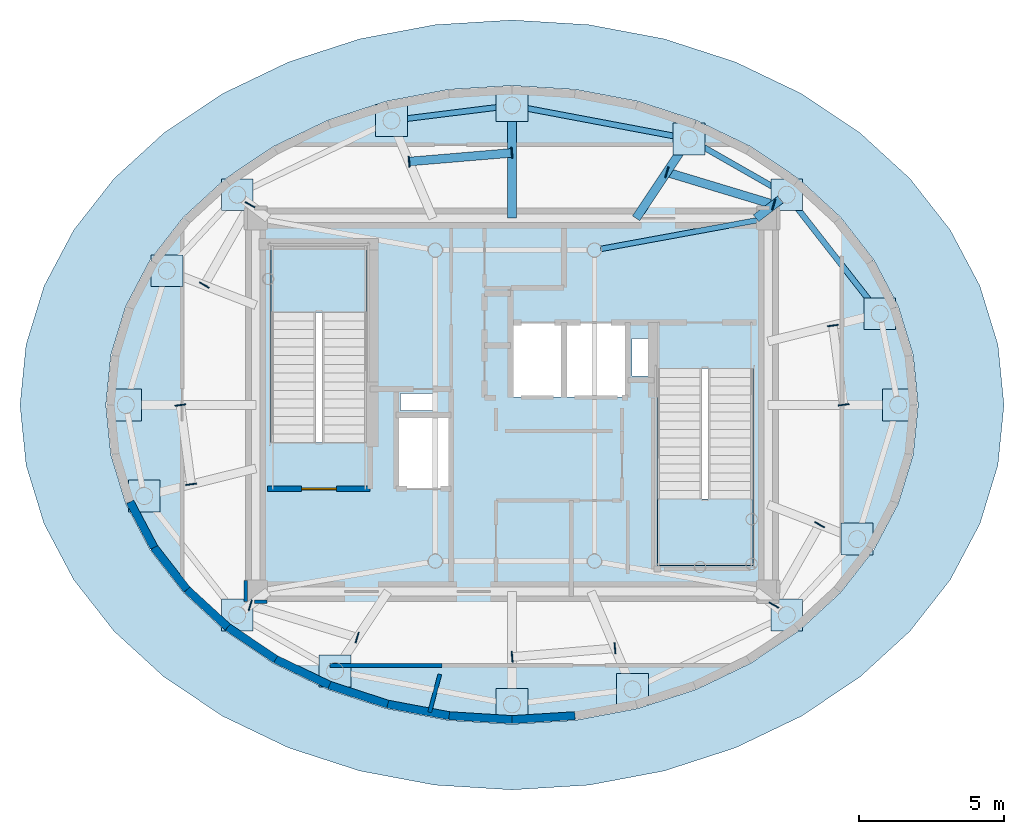
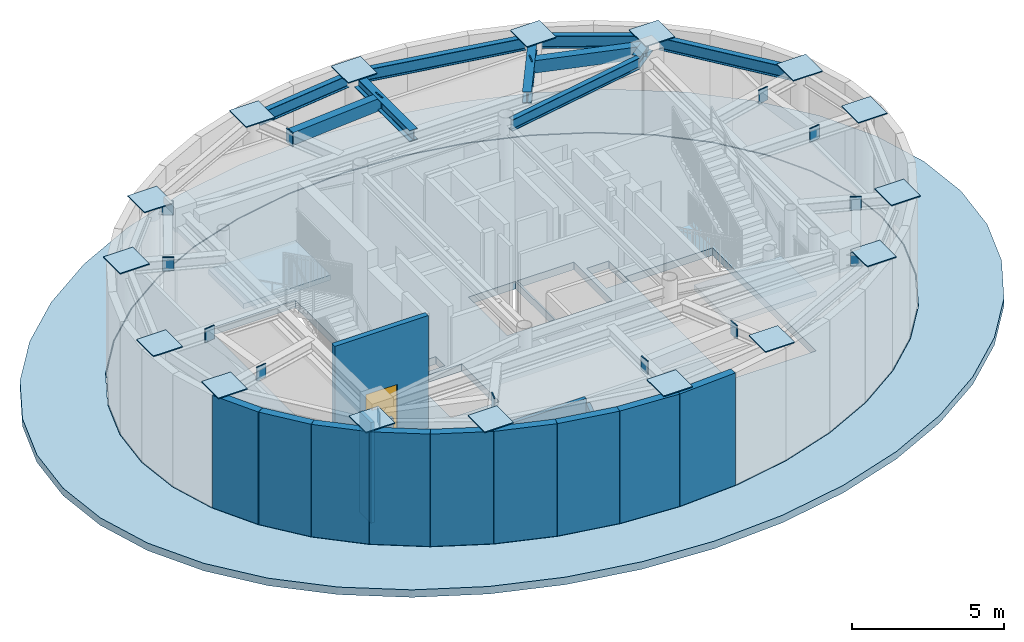
# One storey, part 2 of 12: 32 plates, 14 walls, 10 beams, 4 slabs, 1 door, 1 opening, 2 elements without a shape of their own.
"""IFC4 building model written with IfcOpenShell, lengths in metres."""

from ifc_helpers import new_model, si_unit, direction, frame, frame_2d, origin, origin_2d, place, context, subcontext, project, spatial, polyline, rectangle, hollow_rectangle, i_section, outline, extrude, source, transform, mapped, material, layer, layer_set, material_profile, profile_set, type_object, element, fill, aggregate, save


model = new_model("IFC4")

# Units and contexts
model_context = context("Model", 3, precision=1e-05, world=origin(), true_north=direction((0.0, 1.0)))
body_context = subcontext(model_context, "Body", "Model", "MODEL_VIEW")
ifc_project = project(units=[si_unit("LENGTHUNIT", "METRE"), si_unit("AREAUNIT", "SQUARE_METRE"), si_unit("VOLUMEUNIT", "CUBIC_METRE"), si_unit("PLANEANGLEUNIT", "RADIAN"), si_unit("MASSUNIT", "GRAM", prefix="KILO")], contexts=[model_context])

# Site, building, storey
site_placement = place(None, origin())
site = spatial("IfcSite", under=ifc_project, at=site_placement, CompositionType="ELEMENT")
building_placement = place(site_placement, origin())
building = spatial("IfcBuilding", under=site, at=building_placement, Name="Linh Dai School and Residence Tower", CompositionType="ELEMENT")
storey_placement = place(building_placement, frame((0.0, 0.0, 368.39990234375)))
storey = spatial("IfcBuildingStorey", under=building, at=storey_placement, Name="L91", CompositionType="ELEMENT", Elevation=368.39990234375)

# Beams
ifc_material_1 = material(Name="Structural Steel S355JR", Category="steel")
ifc_material_profile_1 = material_profile(ifc_material_1, hollow_rectangle(XDim=0.300048828125, YDim=0.5, WallThickness=0.01611328125, at=origin_2d()), Name="RHS 500x300x16")
ifc_profile_set_1 = profile_set([ifc_material_profile_1], Name="Structural Steel S355JR")
beam_type_1 = type_object("IfcBeamType", Name="BM-BX5", PredefinedType="BEAM", material=ifc_profile_set_1)
beam_1_placement = place(storey_placement, frame((45.043701171875, 33.923095703125, 4.25), z_axis=(-0.957200418258, 0.289425913296, 0.0), x_axis=(-0.289425913296, -0.957200418258, 0.0)))
element("IfcBeam", 1, at=beam_1_placement, inside=storey, type_object=beam_type_1, Name="L91 Secondary Circumferential Floor Beam 02", PredefinedType="BEAM", context=body_context, shape_type="SweptSolid", body=[
    extrude(hollow_rectangle(XDim=0.300048828125, YDim=0.5, WallThickness=0.01611328125, at=origin_2d()), origin(), (0.0, 0.0, 1.0), 3.857421875),
])
beam_2_placement = place(storey_placement, frame((35.9951171875, 35.708740234375, 4.25), z_axis=(-0.996465021348, -0.084008697347, 0.0), x_axis=(0.084008697347, -0.996465021348, 0.0)))
element("IfcBeam", 2, at=beam_2_placement, inside=storey, type_object=beam_type_1, Name="L91 Secondary Circumferential Floor Beam 03", PredefinedType="BEAM", context=body_context, shape_type="SweptSolid", body=[
    extrude(hollow_rectangle(XDim=0.300048828125, YDim=0.5, WallThickness=0.01611328125, at=origin_2d()), origin(), (0.0, 0.0, 1.0), 3.56591796875),
])
ifc_material_profile_2 = material_profile(ifc_material_1, i_section(OverallWidth=0.199951171875, OverallDepth=0.5, WebThickness=0.01025390625, FlangeThickness=0.01611328125, FilletRadius=0.02099609375, at=origin_2d()), Name="IPE 500")
ifc_profile_set_2 = profile_set([ifc_material_profile_2], Name="Structural Steel S355JR")
beam_type_2 = type_object("IfcBeamType", Name="BM-RB50", PredefinedType="BEAM", material=ifc_profile_set_2)
beam_3_placement = place(storey_placement, frame((48.540283203125, 30.365478515625, 4.25), z_axis=(-0.615711991267, 0.78797128362, 0.0), x_axis=(-0.78797128362, -0.615711991267, 0.0)))
element("IfcBeam", 3, at=beam_3_placement, inside=storey, type_object=beam_type_2, Name="L91 Perimeter Elliptical Ring Beam 02", PredefinedType="BEAM", context=body_context, shape_type="SweptSolid", body=[
    extrude(i_section(OverallWidth=0.199951171875, OverallDepth=0.5, WebThickness=0.01025390625, FlangeThickness=0.01611328125, FilletRadius=0.02099609375, at=origin_2d()), origin(), (0.0, 0.0, 1.0), 4.67138671875),
])
beam_4_placement = place(storey_placement, frame((45.255859375, 34.3994140625, 4.25), z_axis=(-0.868566435555, 0.495572746453, 0.0), x_axis=(-0.495572746453, -0.868566435555, 0.0)))
element("IfcBeam", 4, at=beam_4_placement, inside=storey, type_object=beam_type_2, Name="L91 Perimeter Elliptical Ring Beam 03", PredefinedType="BEAM", context=body_context, shape_type="SweptSolid", body=[
    extrude(i_section(OverallWidth=0.199951171875, OverallDepth=0.5, WebThickness=0.01025390625, FlangeThickness=0.01611328125, FilletRadius=0.02099609375, at=origin_2d()), origin(), (0.0, 0.0, 1.0), 3.343994140625),
])
beam_5_placement = place(storey_placement, frame((41.84228515625, 36.243896484375, 4.25), z_axis=(-0.982702629871, 0.185190553874, 0.0), x_axis=(-0.185190553874, -0.982702629871, 0.0)))
element("IfcBeam", 5, at=beam_5_placement, inside=storey, type_object=beam_type_2, Name="L91 Perimeter Elliptical Ring Beam 04", PredefinedType="BEAM", context=body_context, shape_type="SweptSolid", body=[
    extrude(i_section(OverallWidth=0.199951171875, OverallDepth=0.5, WebThickness=0.01025390625, FlangeThickness=0.01611328125, FilletRadius=0.02099609375, at=origin_2d()), origin(), (0.0, 0.0, 1.0), 5.670166015625),
])
beam_6_placement = place(storey_placement, frame((35.72705078125, 37.31103515625, 4.25), z_axis=(-0.992348789732, -0.123466106758, 0.0), x_axis=(0.123466106758, -0.992348789732, 0.0)))
element("IfcBeam", 6, at=beam_6_placement, inside=storey, type_object=beam_type_2, Name="L91 Perimeter Elliptical Ring Beam 05", PredefinedType="BEAM", context=body_context, shape_type="SweptSolid", body=[
    extrude(i_section(OverallWidth=0.199951171875, OverallDepth=0.5, WebThickness=0.01025390625, FlangeThickness=0.01611328125, FilletRadius=0.02099609375, at=origin_2d()), origin(), (0.0, 0.0, 1.0), 3.646240234375),
])
ifc_material_profile_3 = material_profile(ifc_material_1, i_section(OverallWidth=0.300048828125, OverallDepth=0.449951171875, WebThickness=0.013916015625, FlangeThickness=0.02587890625, FilletRadius=0.027099609375, at=origin_2d()), Name="HEB 450")
ifc_profile_set_3 = profile_set([ifc_material_profile_3], Name="Structural Steel S355JR")
beam_type_3 = type_object("IfcBeamType", Name="BM-RG45", PredefinedType="BEAM", material=ifc_profile_set_3)
beam_7_placement = place(storey_placement, frame((44.431884765625, 33.449951171875, 4.275146484375), z_axis=(0.794260058164, 0.607577945621, 0.0), x_axis=(-0.607577945621, 0.794260058164, 0.0)))
element("IfcBeam", 7, at=beam_7_placement, inside=storey, type_object=beam_type_3, Name="L91 Primary Radial Floor Girder 03", PredefinedType="BEAM", context=body_context, shape_type="SweptSolid", body=[
    extrude(i_section(OverallWidth=0.300048828125, OverallDepth=0.449951171875, WebThickness=0.013916015625, FlangeThickness=0.02587890625, FilletRadius=0.027099609375, at=origin_2d()), origin(), (0.0, 0.0, 1.0), 1.063232421875),
])
beam_8_placement = place(storey_placement, frame((40.28857421875, 33.449951171875, 4.275146484375), z_axis=(0.553673427863, 0.832733892236, 0.0), x_axis=(-0.832733892236, 0.553673427863, 0.0)))
element("IfcBeam", 8, at=beam_8_placement, inside=storey, type_object=beam_type_3, Name="L91 Primary Radial Floor Girder 04", PredefinedType="BEAM", context=body_context, shape_type="SweptSolid", body=[
    extrude(i_section(OverallWidth=0.300048828125, OverallDepth=0.449951171875, WebThickness=0.013916015625, FlangeThickness=0.02587890625, FilletRadius=0.027099609375, at=origin_2d()), origin(), (0.0, 0.0, 1.0), 3.01904296875),
])
beam_9_placement = place(storey_placement, frame((36.0, 33.449951171875, 4.275146484375), z_axis=(0.0, 1.0, 0.0), x_axis=(-1.0, 0.0, 0.0)))
element("IfcBeam", 9, at=beam_9_placement, inside=storey, type_object=beam_type_3, Name="L91 Primary Radial Floor Girder 05", PredefinedType="BEAM", context=body_context, shape_type="SweptSolid", body=[
    extrude(i_section(OverallWidth=0.300048828125, OverallDepth=0.449951171875, WebThickness=0.013916015625, FlangeThickness=0.02587890625, FilletRadius=0.027099609375, at=origin_2d()), origin(), (0.0, 0.0, 1.0), 3.6201171875),
])
ifc_material_profile_4 = material_profile(ifc_material_1, i_section(OverallWidth=0.18994140625, OverallDepth=0.449951171875, WebThickness=0.009521484375, FlangeThickness=0.0146484375, FilletRadius=0.02099609375, at=origin_2d()), Name="IPE 450")
ifc_profile_set_4 = profile_set([ifc_material_profile_4], Name="Structural Steel S355JR")
beam_type_4 = type_object("IfcBeamType", Name="BM-SB45", PredefinedType="BEAM", material=ifc_profile_set_4)
beam_10_placement = place(storey_placement, frame((44.486083984375, 33.38330078125, 4.275146484375), z_axis=(-0.98360563981, -0.180332873692, 0.0), x_axis=(0.180332873692, -0.98360563981, 0.0)))
element("IfcBeam", 10, at=beam_10_placement, inside=storey, type_object=beam_type_4, Name="L91 Core Corner-to-Mast Pier Beam 3", PredefinedType="BEAM", context=body_context, shape_type="SweptSolid", body=[
    extrude(i_section(OverallWidth=0.18994140625, OverallDepth=0.449951171875, WebThickness=0.009521484375, FlangeThickness=0.0146484375, FilletRadius=0.02099609375, at=origin_2d()), origin(), (0.0, 0.0, 1.0), 5.506103515625),
])

# Slabs
ifc_material_2 = material(Name="Concrete B45 (C35/45)", Category="concrete")
ifc_layer_1 = layer(ifc_material_2, 0.300048828125)
ifc_layer_set_1 = layer_set([ifc_layer_1], Name="Concrete B45 (C35/45)")
slab_type_1 = type_object("IfcSlabType", Name="SLB-FLR300", PredefinedType="FLOOR", material=ifc_layer_set_1)
slab_1_placement = place(storey_placement, frame((0.0, 0.0, -0.2998046875)))
element("IfcSlab", 11, at=slab_1_placement, inside=storey, type_object=slab_type_1, Name="L91 Composite Structural Floor Slab", PredefinedType="FLOOR", context=body_context, shape_type="SweptSolid", body=[
    extrude(outline(polyline([(50.0, 27.0), (49.82763671875, 28.720703125), (49.314697265625, 30.399169921875), (48.47412109375, 31.993896484375), (47.326171875, 33.465576171875), (45.8994140625, 34.778076171875), (44.22900390625, 35.899169921875), (42.35595703125, 36.801025390625), (40.326171875, 37.461669921875), (38.190185546875, 37.864501953125), (36.0, 38.0), (33.809814453125, 37.864501953125), (31.673828125, 37.461669921875), (29.64404296875, 36.801025390625), (27.77099609375, 35.899169921875), (26.1005859375, 34.778076171875), (24.673828125, 33.465576171875), (23.52587890625, 31.993896484375), (22.685302734375, 30.399169921875), (22.17236328125, 28.720703125), (22.0, 27.0), (22.17236328125, 25.279296875), (22.685302734375, 23.600830078125), (23.52587890625, 22.006103515625), (24.673828125, 20.534423828125), (26.1005859375, 19.221923828125), (27.77099609375, 18.100830078125), (29.64404296875, 17.198974609375), (31.673828125, 16.538330078125), (33.809814453125, 16.135498046875), (36.0, 16.0), (38.190185546875, 16.135498046875), (40.326171875, 16.538330078125), (42.35595703125, 17.198974609375), (44.22900390625, 18.100830078125), (45.8994140625, 19.221923828125), (47.326171875, 20.534423828125), (48.47412109375, 22.006103515625), (49.314697265625, 23.600830078125), (49.82763671875, 25.279296875), (50.0, 27.0)]), holes=[polyline([(30.97998046875, 25.699951171875), (30.97998046875, 32.5), (27.679931640625, 32.5), (27.679931640625, 25.699951171875), (30.97998046875, 25.699951171875)]), polyline([(41.02001953125, 28.25), (41.02001953125, 21.449951171875), (44.320068359375, 21.449951171875), (44.320068359375, 28.25), (41.02001953125, 28.25)]), polyline([(35.97998046875, 27.280029296875), (37.77001953125, 27.280029296875), (37.77001953125, 29.820068359375), (35.97998046875, 29.820068359375), (35.97998046875, 27.280029296875)]), polyline([(32.030029296875, 24.1298828125), (33.8701171875, 24.1298828125), (33.8701171875, 26.6201171875), (32.030029296875, 26.6201171875), (32.030029296875, 24.1298828125)]), polyline([(37.830078125, 27.280029296875), (39.969970703125, 27.280029296875), (39.969970703125, 29.820068359375), (37.830078125, 29.820068359375), (37.830078125, 27.280029296875)]), polyline([(40.14990234375, 28.0), (40.14990234375, 29.300048828125), (41.0, 29.300048828125), (41.0, 28.280029296875), (40.989990234375, 28.280029296875), (40.989990234375, 28.0), (40.14990234375, 28.0)]), polyline([(32.14990234375, 26.800048828125), (33.35009765625, 26.800048828125), (33.35009765625, 27.39990234375), (32.14990234375, 27.39990234375), (32.14990234375, 26.800048828125)])]), origin(), (0.0, 0.0, 1.0), 0.2998046875),
])
ifc_layer_2 = layer(ifc_material_2, 0.300048828125)
ifc_layer_set_2 = layer_set([ifc_layer_2], Name="Concrete B45 (C35/45)")
slab_type_2 = type_object("IfcSlabType", Name="SLB-ROOF300", PredefinedType="ROOF", material=ifc_layer_set_2)
slab_2_placement = place(storey_placement, frame((0.0, 0.0, -0.2998046875)))
element("IfcSlab", 12, at=slab_2_placement, inside=storey, type_object=slab_type_2, Name="L91 Setback Step Insulated Roof Slab", PredefinedType="ROOF", context=body_context, shape_type="SweptSolid", body=[
    extrude(outline(polyline([(53.0, 27.0), (52.790771484375, 29.08056640625), (52.16796875, 31.10986328125), (51.147216796875, 33.0380859375), (49.753173828125, 34.817626953125), (48.020751953125, 36.404541015625), (45.992431640625, 37.760009765625), (43.7177734375, 38.850341796875), (41.253173828125, 39.649169921875), (38.659423828125, 40.13623046875), (36.0, 40.300048828125), (33.340576171875, 40.13623046875), (30.746826171875, 39.649169921875), (28.2822265625, 38.850341796875), (26.007568359375, 37.760009765625), (23.979248046875, 36.404541015625), (22.246826171875, 34.817626953125), (20.852783203125, 33.0380859375), (19.83203125, 31.10986328125), (19.209228515625, 29.08056640625), (19.0, 27.0), (19.209228515625, 24.91943359375), (19.83203125, 22.89013671875), (20.852783203125, 20.9619140625), (22.246826171875, 19.182373046875), (23.979248046875, 17.595458984375), (26.007568359375, 16.239990234375), (28.2822265625, 15.149658203125), (30.746826171875, 14.350830078125), (33.340576171875, 13.86376953125), (36.0, 13.699951171875), (38.659423828125, 13.86376953125), (41.253173828125, 14.350830078125), (43.7177734375, 15.149658203125), (45.992431640625, 16.239990234375), (48.020751953125, 17.595458984375), (49.753173828125, 19.182373046875), (51.147216796875, 20.9619140625), (52.16796875, 22.89013671875), (52.790771484375, 24.91943359375), (53.0, 27.0)]), holes=[polyline([(50.030029296875, 27.0), (49.857177734375, 28.7255859375), (49.34326171875, 30.408447265625), (48.500732421875, 32.007568359375), (47.3505859375, 33.483154296875), (45.920654296875, 34.79931640625), (44.24658203125, 35.92333984375), (42.369384765625, 36.827880859375), (40.33544921875, 37.490234375), (38.19482421875, 37.894287109375), (36.0, 38.030029296875), (33.80517578125, 37.894287109375), (31.66455078125, 37.490234375), (29.630615234375, 36.827880859375), (27.75341796875, 35.92333984375), (26.079345703125, 34.79931640625), (24.6494140625, 33.483154296875), (23.499267578125, 32.007568359375), (22.65673828125, 30.408447265625), (22.142822265625, 28.7255859375), (21.969970703125, 27.0), (22.142822265625, 25.2744140625), (22.65673828125, 23.591552734375), (23.499267578125, 21.992431640625), (24.6494140625, 20.516845703125), (26.079345703125, 19.20068359375), (27.75341796875, 18.07666015625), (29.630615234375, 17.172119140625), (31.66455078125, 16.509765625), (33.80517578125, 16.105712890625), (36.0, 15.969970703125), (38.19482421875, 16.105712890625), (40.33544921875, 16.509765625), (42.369384765625, 17.172119140625), (44.24658203125, 18.07666015625), (45.920654296875, 19.20068359375), (47.3505859375, 20.516845703125), (48.500732421875, 21.992431640625), (49.34326171875, 23.591552734375), (49.857177734375, 25.2744140625), (50.030029296875, 27.0)])]), origin(), (0.0, 0.0, 1.0), 0.2998046875),
])

# Stair, slab
stair_type = type_object("IfcStairType", Name="ST-DOG-1550-R1500", PredefinedType="HALF_TURN_STAIR", material=ifc_material_2)
stair_1_placement = place(storey_placement, origin())
stair_1 = element("IfcStair", 13, at=stair_1_placement, inside=storey, type_object=stair_type, Name="L91 Core Smokeproof Exit Stair ST1", PredefinedType="HALF_TURN_STAIR")
ifc_layer_3 = layer(ifc_material_2, 0.199951171875)
ifc_layer_set_3 = layer_set([ifc_layer_3], Name="Concrete B45 (C35/45)")
slab_type_3 = type_object("IfcSlabType", Name="SLB-ST-LANDING-200", PredefinedType="LANDING", material=ifc_layer_set_3)
slab_3_placement = place(storey_placement, frame((0.0, 0.0, 2.2001953125)))
slab_3 = element("IfcSlab", 14, at=slab_3_placement, type_object=slab_type_3, Name="ST1 landing 1", PredefinedType="LANDING", context=body_context, shape_type="SweptSolid", body=[
    extrude(outline(polyline([(30.97998046875, 30.199951171875), (30.97998046875, 32.5), (27.679931640625, 32.5), (27.679931640625, 30.199951171875), (30.97998046875, 30.199951171875)])), origin(), (0.0, 0.0, 1.0), 0.199951171875),
])
aggregate(stair_1, [slab_3])

stair_2_placement = place(storey_placement, origin())
stair_2 = element("IfcStair", 15, at=stair_2_placement, inside=storey, type_object=stair_type, Name="L91 Core Smokeproof Exit Stair ST2", PredefinedType="HALF_TURN_STAIR")
slab_4_placement = place(storey_placement, frame((0.0, 0.0, 2.2001953125)))
slab_4 = element("IfcSlab", 16, at=slab_4_placement, type_object=slab_type_3, Name="ST2 landing 1", PredefinedType="LANDING", context=body_context, shape_type="SweptSolid", body=[
    extrude(outline(polyline([(41.02001953125, 23.75), (41.02001953125, 21.449951171875), (44.320068359375, 21.449951171875), (44.320068359375, 23.75), (41.02001953125, 23.75)])), origin(), (0.0, 0.0, 1.0), 0.199951171875),
])
aggregate(stair_2, [slab_4])

# Plates
ifc_layer_4 = layer(ifc_material_1, 0.0400390625)
ifc_layer_set_4 = layer_set([ifc_layer_4], Name="Structural Steel S355JR")
plate_type = type_object("IfcPlateType", Name="PLT-GP1", PredefinedType="USERDEFINED", material=ifc_layer_set_4)
shared_shape_1 = source(origin(), body_context, "Body", "SweptSolid", [
    extrude(rectangle(XDim=1.10009765625, YDim=1.10009765625, at=origin_2d()), origin(), (0.0, 0.0, 1.0), 0.0400390625),
])
for number, where, z_axis, x_axis, name in (
    (17, (49.344970703125, 27.0, 4.5), (0.0, 0.0, 1.0), (1.0, 0.0, 0.0), "L91 MC01 Column Cap Plate"),
    (18, (48.70947265625, 30.14892578125, 4.5), (0.0, 0.0, 1.0), (1.0, 0.0, 0.0), "L91 MC02 Column Cap Plate"),
    (19, (45.494873046875, 34.26318359375, 4.5), (0.0, 0.0, 1.0), (1.0, 0.0, 0.0), "L91 MC03 Column Cap Plate"),
    (20, (42.112548828125, 36.19287109375, 4.5), (0.0, 0.0, 1.0), (1.0, 0.0, 0.0), "L91 MC04 Column Cap Plate"),
    (21, (36.0, 37.344970703125, 4.5), (0.0, 0.0, 1.0), (1.0, 0.0, 0.0), "L91 MC05 Column Cap Plate"),
    (22, (31.835693359375, 36.826904296875, 4.5), (0.0, 0.0, 1.0), (1.0, 0.0, 0.0), "L91 MC06 Column Cap Plate"),
    (23, (26.505126953125, 34.26318359375, 4.5), (0.0, 0.0, 1.0), (1.0, 0.0, 0.0), "L91 MC07 Column Cap Plate"),
    (24, (24.075439453125, 31.637451171875, 4.5), (0.0, 0.0, 1.0), (1.0, 0.0, 0.0), "L91 MC08 Column Cap Plate"),
    (25, (22.655029296875, 27.0, 4.5), (0.0, 0.0, 1.0), (1.0, 0.0, 0.0), "L91 MC09 Column Cap Plate"),
    (26, (23.29052734375, 23.85107421875, 4.5), (0.0, 0.0, 1.0), (1.0, 0.0, 0.0), "L91 MC10 Column Cap Plate"),
    (27, (26.505126953125, 19.73681640625, 4.5), (0.0, 0.0, 1.0), (1.0, 0.0, 0.0), "L91 MC11 Column Cap Plate"),
    (28, (29.887451171875, 17.80712890625, 4.5), (0.0, 0.0, 1.0), (1.0, 0.0, 0.0), "L91 MC12 Column Cap Plate"),
    (29, (36.0, 16.655029296875, 4.5), (0.0, 0.0, 1.0), (1.0, 0.0, 0.0), "L91 MC13 Column Cap Plate"),
    (30, (40.164306640625, 17.173095703125, 4.5), (0.0, 0.0, 1.0), (1.0, 0.0, 0.0), "L91 MC14 Column Cap Plate"),
    (31, (45.494873046875, 19.73681640625, 4.5), (0.0, 0.0, 1.0), (1.0, 0.0, 0.0), "L91 MC15 Column Cap Plate"),
    (32, (47.924560546875, 22.362548828125, 4.5), (0.0, 0.0, 1.0), (1.0, 0.0, 0.0), "L91 MC16 Column Cap Plate"),
):
    element("IfcPlate", number, at=place(storey_placement, frame(where, z_axis=z_axis, x_axis=x_axis)), inside=storey, type_object=plate_type, Name=name, ObjectType="GUSSET PLATE", PredefinedType="USERDEFINED", context=body_context, shape_type="MappedRepresentation", body=[
        mapped(shared_shape_1, transform((0.0, 0.0, 0.0), x_axis=(1.0, 0.0, 0.0), y_axis=(0.0, 1.0, 0.0), z_axis=(0.0, 0.0, 1.0), scale=1.0)),
    ])
shared_shape_2 = source(origin(), body_context, "Body", "SweptSolid", [
    extrude(rectangle(XDim=0.0400390625, YDim=0.3798828125, at=origin_2d()), origin(), (0.0, 0.0, 1.0), 0.5400390625),
])
for number, where, z_axis, x_axis, name in (
    (33, (47.45654296875, 27.0048828125, 3.97998046875), (0.0, 0.0, 1.0), (-0.132973476091, 0.991119596545, 0.0), "L91 Secondary Beam End Plate 01A"),
    (34, (47.089111328125, 29.742431640625, 3.97998046875), (0.0, 0.0, 1.0), (-0.132973476091, 0.991119596545, 0.0), "L91 Secondary Beam End Plate 01B"),
    (35, (45.043701171875, 33.923095703125, 3.97998046875), (0.0, 0.0, 1.0), (-0.957202602496, 0.289418689402, 0.0), "L91 Secondary Beam End Plate 02A"),
    (36, (41.351318359375, 35.03955078125, 3.97998046875), (0.0, 0.0, 1.0), (-0.957202602496, 0.289418689402, 0.0), "L91 Secondary Beam End Plate 02B"),
    (37, (35.9951171875, 35.708740234375, 3.97998046875), (0.0, 0.0, 1.0), (-0.996463804387, -0.084023131015, 0.0), "L91 Secondary Beam End Plate 03A"),
    (38, (32.44189453125, 35.4091796875, 3.97998046875), (0.0, 0.0, 1.0), (-0.996463804387, -0.084023131015, 0.0), "L91 Secondary Beam End Plate 03B"),
    (39, (26.94921875, 33.917236328125, 3.97998046875), (0.0, 0.0, 1.0), (-0.494418057123, -0.869224243099, 0.0), "L91 Secondary Beam End Plate 04A"),
    (40, (25.369140625, 31.1396484375, 3.97998046875), (0.0, 0.0, 1.0), (-0.494418057123, -0.869224243099, 0.0), "L91 Secondary Beam End Plate 04B"),
    (41, (24.54345703125, 26.9951171875, 3.97998046875), (0.0, 0.0, 1.0), (0.132973476091, -0.991119596545, 0.0), "L91 Secondary Beam End Plate 05A"),
    (42, (24.910888671875, 24.257568359375, 3.97998046875), (0.0, 0.0, 1.0), (0.132973476091, -0.991119596545, 0.0), "L91 Secondary Beam End Plate 05B"),
    (43, (26.956298828125, 20.076904296875, 3.97998046875), (0.0, 0.0, 1.0), (0.957202602496, -0.289418689402, 0.0), "L91 Secondary Beam End Plate 06A"),
    (44, (30.648681640625, 18.96044921875, 3.97998046875), (0.0, 0.0, 1.0), (0.957202602496, -0.289418689402, 0.0), "L91 Secondary Beam End Plate 06B"),
    (45, (36.0048828125, 18.291259765625, 3.97998046875), (0.0, 0.0, 1.0), (0.996463804387, 0.084023131015, 0.0), "L91 Secondary Beam End Plate 07A"),
    (46, (39.55810546875, 18.5908203125, 3.97998046875), (0.0, 0.0, 1.0), (0.996463804387, 0.084023131015, 0.0), "L91 Secondary Beam End Plate 07B"),
    (47, (45.05078125, 20.082763671875, 3.97998046875), (0.0, 0.0, 1.0), (0.494418057123, 0.869224243099, 0.0), "L91 Secondary Beam End Plate 08A"),
    (48, (46.630859375, 22.8603515625, 3.97998046875), (0.0, 0.0, 1.0), (0.494418057123, 0.869224243099, 0.0), "L91 Secondary Beam End Plate 08B"),
):
    element("IfcPlate", number, at=place(storey_placement, frame(where, z_axis=z_axis, x_axis=x_axis)), inside=storey, type_object=plate_type, Name=name, ObjectType="GUSSET PLATE", PredefinedType="USERDEFINED", context=body_context, shape_type="MappedRepresentation", body=[
        mapped(shared_shape_2, transform((0.0, 0.0, 0.0), x_axis=(1.0, 0.0, 0.0), y_axis=(0.0, 1.0, 0.0), z_axis=(0.0, 0.0, 1.0), scale=1.0)),
    ])

# Walls
ifc_layer_5 = layer(ifc_material_2, 0.280029296875)
ifc_layer_set_5 = layer_set([ifc_layer_5], Name="Concrete B45 (C35/45)")
wall_type_1 = type_object("IfcWallType", Name="EW-DRM-280", PredefinedType="SOLIDWALL", material=ifc_layer_set_5)
wall_1_placement = place(storey_placement, frame((23.630859375, 22.07421875, 0.0), z_axis=(0.0, 0.0, 1.0), x_axis=(-0.466368181746, 0.884590707082, 0.0)))
element("IfcWall", 49, at=wall_1_placement, inside=storey, type_object=wall_type_1, Name="L91 Terracotta Exterior Wall 23", PredefinedType="SOLIDWALL", context=body_context, shape_type="SweptSolid", body=[
    extrude(rectangle(XDim=1.77978515625, YDim=0.280029296875, at=frame_2d((0.889892578125, 0.0))), origin(), (0.0, 0.0, 1.0), 4.5),
])
wall_2_placement = place(storey_placement, frame((24.765625, 20.619140625, 0.0), z_axis=(0.0, 0.0, 1.0), x_axis=(-0.614965988217, 0.788553633773, 0.0)))
element("IfcWall", 50, at=wall_2_placement, inside=storey, type_object=wall_type_1, Name="L91 Terracotta Exterior Wall 24", PredefinedType="SOLIDWALL", context=body_context, shape_type="SweptSolid", body=[
    extrude(rectangle(XDim=1.84521484375, YDim=0.280029296875, at=frame_2d((0.922607421875, 0.0))), origin(), (0.0, 0.0, 1.0), 4.5),
])
wall_3_placement = place(storey_placement, frame((26.177734375, 19.320068359375, 0.0), z_axis=(0.0, 0.0, 1.0), x_axis=(-0.735948763185, 0.677037235288, 0.0)))
element("IfcWall", 51, at=wall_3_placement, inside=storey, type_object=wall_type_1, Name="L91 Terracotta Exterior Wall 25", PredefinedType="SOLIDWALL", context=body_context, shape_type="SweptSolid", body=[
    extrude(rectangle(XDim=1.918701171875, YDim=0.280029296875, at=frame_2d((0.95947265625, 0.0))), origin(), (0.0, 0.0, 1.0), 4.5),
])
wall_4_placement = place(storey_placement, frame((27.8330078125, 18.20947265625, 0.0), z_axis=(0.0, 0.0, 1.0), x_axis=(-0.830407326996, 0.557156774411, 0.0)))
element("IfcWall", 52, at=wall_4_placement, inside=storey, type_object=wall_type_1, Name="L91 Terracotta Exterior Wall 26", PredefinedType="SOLIDWALL", context=body_context, shape_type="SweptSolid", body=[
    extrude(rectangle(XDim=1.993408203125, YDim=0.280029296875, at=frame_2d((0.99658203125, 0.0))), origin(), (0.0, 0.0, 1.0), 4.5),
])
wall_5_placement = place(storey_placement, frame((29.690673828125, 17.31494140625, 0.0), z_axis=(0.0, 0.0, 1.0), x_axis=(-0.900982812949, 0.433854780739, 0.0)))
element("IfcWall", 53, at=wall_5_placement, inside=storey, type_object=wall_type_1, Name="L91 Terracotta Exterior Wall 27", PredefinedType="SOLIDWALL", context=body_context, shape_type="SweptSolid", body=[
    extrude(rectangle(XDim=2.061767578125, YDim=0.280029296875, at=frame_2d((1.03076171875, 0.0))), origin(), (0.0, 0.0, 1.0), 4.5),
])
wall_6_placement = place(storey_placement, frame((31.70458984375, 16.659423828125, 0.0), z_axis=(0.0, 0.0, 1.0), x_axis=(-0.950895892553, 0.309510906959, 0.0)))
element("IfcWall", 54, at=wall_6_placement, inside=storey, type_object=wall_type_1, Name="L91 Terracotta Exterior Wall 28", PredefinedType="SOLIDWALL", context=body_context, shape_type="SweptSolid", body=[
    extrude(rectangle(XDim=2.117919921875, YDim=0.280029296875, at=frame_2d((1.05908203125, 0.0))), origin(), (0.0, 0.0, 1.0), 4.5),
])
wall_7_placement = place(storey_placement, frame((33.825439453125, 16.259521484375, 0.0), z_axis=(0.0, 0.0, 1.0), x_axis=(-0.982683423472, 0.18529244246, 0.0)))
element("IfcWall", 55, at=wall_7_placement, inside=storey, type_object=wall_type_1, Name="L91 Terracotta Exterior Wall 29", PredefinedType="SOLIDWALL", context=body_context, shape_type="SweptSolid", body=[
    extrude(rectangle(XDim=2.158203125, YDim=0.280029296875, at=frame_2d((1.0791015625, 0.0))), origin(), (0.0, 0.0, 1.0), 4.5),
])
for number, where, z_axis, x_axis, name in (
    (56, (36.0, 16.125, 0.0), (0.0, 0.0, 1.0), (-0.99809205436, 0.061743428983, 0.0), "L91 Terracotta Exterior Wall 30"),
    (57, (38.174560546875, 16.259521484375, 0.0), (0.0, 0.0, 1.0), (-0.99809205436, -0.061743428983, 0.0), "L91 Terracotta Exterior Wall 31"),
):
    element("IfcWall", number, at=place(storey_placement, frame(where, z_axis=z_axis, x_axis=x_axis)), inside=storey, type_object=wall_type_1, Name=name, PredefinedType="SOLIDWALL", context=body_context, shape_type="SweptSolid", body=[
        extrude(rectangle(XDim=2.1787109375, YDim=0.280029296875, at=frame_2d((1.08935546875, 0.0))), origin(), (0.0, 0.0, 1.0), 4.5),
    ])
ifc_material_3 = material(Name="Autoclaved Aerated Concrete Blockwork", Category="masonry")
ifc_layer_6 = layer(ifc_material_3, 0.135009765625)
ifc_layer_set_6 = layer_set([ifc_layer_6], Name="Autoclaved Aerated Concrete Blockwork")
wall_type_2 = type_object("IfcWallType", Name="IW-CORR-135-EI90", PredefinedType="PARTITIONING", material=ifc_layer_set_6)
wall_8_placement = place(storey_placement, frame((33.578369140625, 18.0, 0.0), z_axis=(0.0, 0.0, 1.0), x_axis=(-1.0, 0.0, 0.0)))
element("IfcWall", 58, at=wall_8_placement, inside=storey, type_object=wall_type_2, Name="L91 Interior Partition Wall 040", PredefinedType="PARTITIONING", context=body_context, shape_type="SweptSolid", body=[
    extrude(rectangle(XDim=3.869140625, YDim=0.135009765625, at=frame_2d((1.9345703125, 0.0))), origin(), (0.0, 0.0, 1.0), 3.985107421875),
])
wall_9_placement = place(storey_placement, frame((26.800048828125, 20.93994140625, 0.0), z_axis=(0.0, 0.0, 1.0), x_axis=(0.0, -1.0, 0.0)))
element("IfcWall", 59, at=wall_9_placement, inside=storey, type_object=wall_type_2, Name="L91 Interior Partition Wall 042", PredefinedType="PARTITIONING", context=body_context, shape_type="SweptSolid", body=[
    extrude(rectangle(XDim=0.739990234375, YDim=0.135009765625, at=frame_2d((0.3701171875, 0.0))), origin(), (0.0, 0.0, 1.0), 4.03515625),
])
wall_10_placement = place(storey_placement, frame((27.107421875, 20.199951171875, 0.0), z_axis=(0.0, 0.0, 1.0), x_axis=(1.0, 0.0, 0.0)))
element("IfcWall", 60, at=wall_10_placement, inside=storey, type_object=wall_type_2, Name="L91 Interior Partition Wall 043", PredefinedType="PARTITIONING", context=body_context, shape_type="SweptSolid", body=[
    extrude(rectangle(XDim=0.4326171875, YDim=0.135009765625, at=frame_2d((0.21630859375, 0.0))), origin(), (0.0, 0.0, 1.0), 3.985107421875),
])
wall_11_placement = place(storey_placement, frame((33.154541015625, 16.380859375, 0.0), z_axis=(0.0, 0.0, 1.0), x_axis=(0.258915829907, 0.965899887682, 0.0)))
element("IfcWall", 61, at=wall_11_placement, inside=storey, type_object=wall_type_2, Name="L91 Interior Partition Wall 049", PredefinedType="PARTITIONING", context=body_context, shape_type="SweptSolid", body=[
    extrude(rectangle(XDim=1.35791015625, YDim=0.135009765625, at=frame_2d((0.678955078125, 0.0))), origin(), (0.0, 0.0, 1.0), 3.985107421875),
])

# Wall, opening, door
ifc_layer_7 = layer(ifc_material_2, 0.199951171875)
ifc_layer_set_7 = layer_set([ifc_layer_7], Name="Concrete B45 (C35/45)")
wall_type_3 = type_object("IfcWallType", Name="IW-SHAFT-200-EI120", PredefinedType="PARTITIONING", material=ifc_layer_set_7)
wall_12_placement = place(storey_placement, frame((27.56005859375, 24.10009765625, 0.0), z_axis=(0.0, 0.0, 1.0), x_axis=(1.0, 0.0, 0.0)))
wall_12 = element("IfcWall", 62, at=wall_12_placement, inside=storey, type_object=wall_type_3, Name="L91 Interior Partition Wall 002", PredefinedType="PARTITIONING", context=body_context, shape_type="SweptSolid", body=[
    extrude(rectangle(XDim=3.5400390625, YDim=0.199951171875, at=frame_2d((1.77001953125, 0.0))), origin(), (0.0, 0.0, 1.0), 4.5),
])
opening_placement = place(wall_12_placement, frame((1.169921875, 0.0, 0.0)))
opening = element("IfcOpeningElement", 63, at=opening_placement, cuts=wall_12, Name="Opening D01", PredefinedType="OPENING", context=body_context, shape_type="SweptSolid", body=[
    extrude(rectangle(XDim=1.199951171875, YDim=2.14990234375, at=origin_2d()), frame((0.60009765625, 0.10986328125, 1.074951171875), z_axis=(0.0, -1.0, 0.0), x_axis=(1.0, 0.0, 0.0)), (0.0, 0.0, 1.0), 0.219970703125),
])
ifc_material_4 = material(Name="Fire-Rated Steel Door Leaf", Category="steel")
door_type = type_object("IfcDoorType", Name="DR-STAIR-1200x2150-FD90S", OperationType="NOTDEFINED", PredefinedType="DOOR", material=ifc_material_4)
shared_shape_3 = source(origin(), body_context, "Body", "SweptSolid", [
    extrude(rectangle(XDim=1.199951171875, YDim=2.14990234375, at=origin_2d()), frame((0.60009765625, 0.02490234375, 1.074951171875), z_axis=(0.0, -1.0, 0.0), x_axis=(1.0, 0.0, 0.0)), (0.0, 0.0, 1.0), 0.050048828125),
])
door_placement = place(opening_placement, origin())
door = element("IfcDoor", 64, at=door_placement, inside=storey, type_object=door_type, Name="L91 Core Smokeproof Exit Stair ST1 Door", OperationType="SINGLE_SWING_RIGHT", OverallHeight=2.14990234375, OverallWidth=1.199951171875, PredefinedType="DOOR", context=body_context, shape_type="MappedRepresentation", body=[
    mapped(shared_shape_3, transform((0.0, 0.0, 0.0), x_axis=(1.0, 0.0, 0.0), y_axis=(0.0, 1.0, 0.0), z_axis=(0.0, 0.0, 1.0), scale=1.0)),
])
fill(opening, door)

save(model, "model.ifc")
